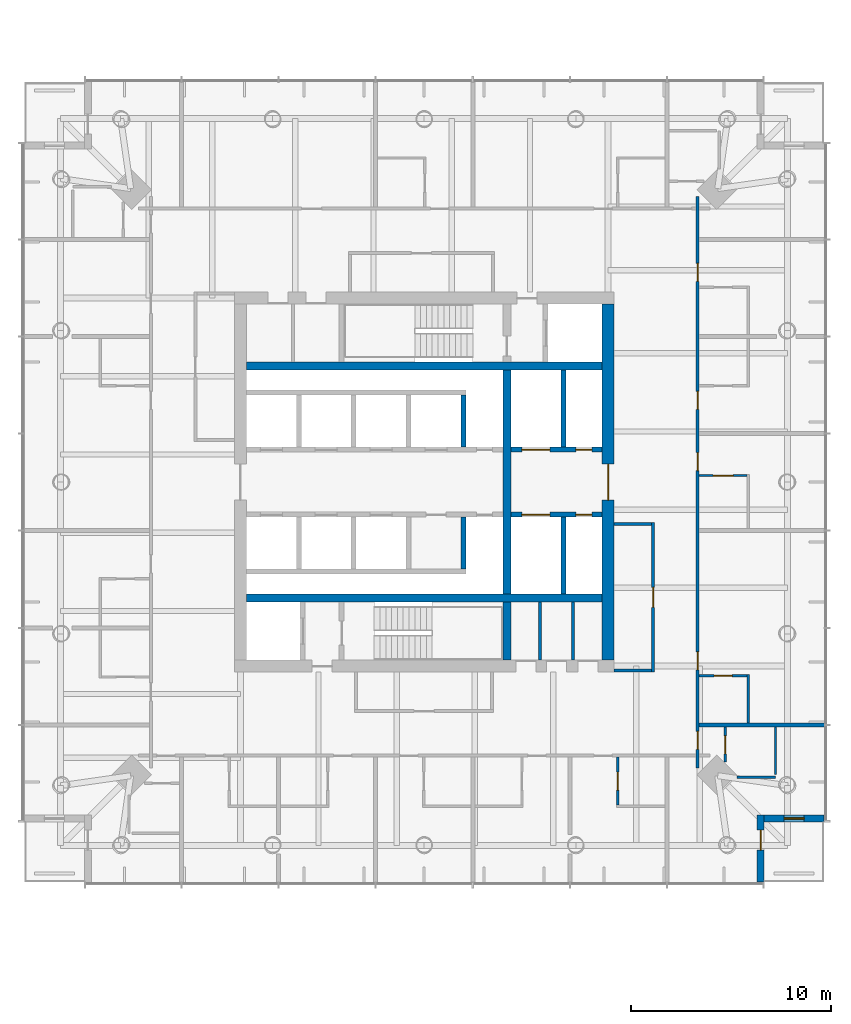
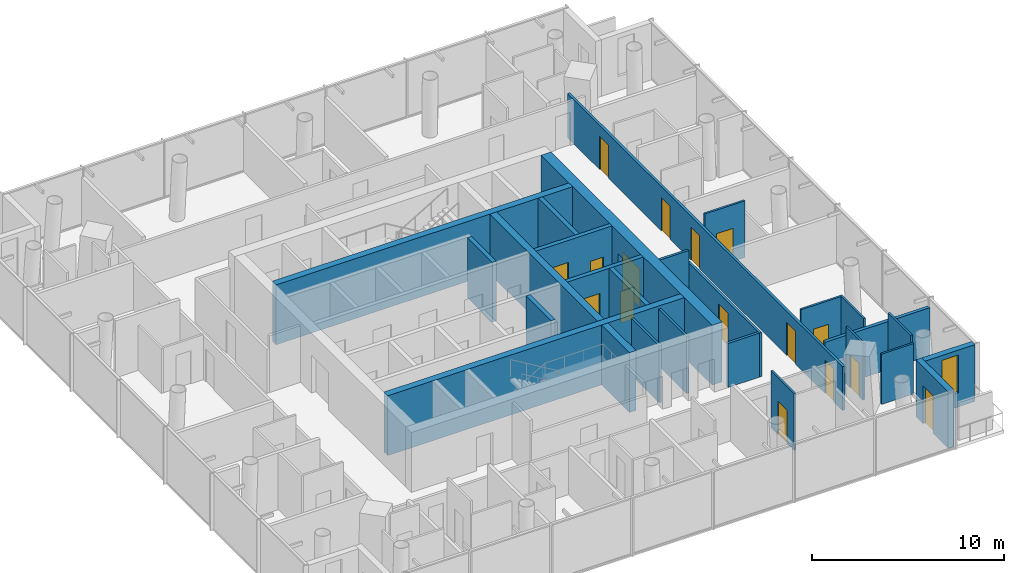
# One storey, part 16 of 22: 27 walls, 16 doors, 1 window, 17 openings.
"""IFC4 building model written with IfcOpenShell, lengths in metres."""

from ifc_helpers import new_model, si_unit, direction, frame, frame_2d, origin, place, context, subcontext, project, spatial, rectangle, extrude, material, layer, layer_set, type_object, element, fill, save


model = new_model("IFC4")

# Units and contexts
model_context = context("Model", 3, precision=1e-05, world=origin(), true_north=direction((0.0, 1.0)))
body_context = subcontext(model_context, "Body", "Model", "MODEL_VIEW")
ifc_project = project(units=[si_unit("LENGTHUNIT", "METRE"), si_unit("AREAUNIT", "SQUARE_METRE"), si_unit("VOLUMEUNIT", "CUBIC_METRE"), si_unit("PLANEANGLEUNIT", "RADIAN"), si_unit("MASSUNIT", "GRAM", prefix="KILO")], contexts=[model_context])

# Site, building, storey
site_placement = place(None, origin())
site = spatial("IfcSite", under=ifc_project, at=site_placement, CompositionType="ELEMENT")
building_placement = place(site_placement, origin())
building = spatial("IfcBuilding", under=site, at=building_placement, Name="Ostroluk Exchange", CompositionType="ELEMENT")
storey_placement = place(building_placement, frame((0.0, 0.0, 40.0)))
storey = spatial("IfcBuildingStorey", under=building, at=storey_placement, Name="L09", CompositionType="ELEMENT", Elevation=40.0)

# Walls
ifc_material_1 = material(Name="Concrete blockwork", Category="masonry")
ifc_layer_1 = layer(ifc_material_1, 0.14990234375)
ifc_layer_set_1 = layer_set([ifc_layer_1], Name="Blockwork plant room wall 150")
wall_type_1 = type_object("IfcWallType", Name="Blockwork plant room wall 150", PredefinedType="SOLIDWALL", material=ifc_layer_set_1)
for number, where, z_axis, x_axis, name in (
    (1, (122.79248046875, 37.10009765625, 0.0), (0.0, 0.0, 1.0), (0.0, 1.0, 0.0), "Core room wall"),
    (2, (124.4375, 37.10009765625, 0.0), (0.0, 0.0, 1.0), (0.0, 1.0, 0.0), "Core room wall"),
):
    element("IfcWall", number, at=place(storey_placement, frame(where, z_axis=z_axis, x_axis=x_axis)), inside=storey, type_object=wall_type_1, Name=name, PredefinedType="SOLIDWALL", context=body_context, shape_type="SweptSolid", body=[
        extrude(rectangle(XDim=2.89990234375, YDim=0.14990234375, at=frame_2d((1.449951171875, 0.0))), origin(), (0.0, 0.0, 1.0), 3.60009765625),
    ])
ifc_material_2 = material(Name="Concrete C50/60", Category="concrete")
ifc_layer_2 = layer(ifc_material_2, 0.39990234375)
ifc_layer_set_2 = layer_set([ifc_layer_2], Name="Core cross wall 400 C50/60")
wall_type_2 = type_object("IfcWallType", Name="Core cross wall 400 C50/60", PredefinedType="SHEAR", material=ifc_layer_set_2)
for number, where, z_axis, x_axis, name in (
    (3, (108.10009765625, 40.199951171875, 0.0), (0.0, 0.0, 1.0), (1.0, 0.0, 0.0), "T2 core wall XS"),
    (4, (108.10009765625, 51.800048828125, 0.0), (0.0, 0.0, 1.0), (1.0, 0.0, 0.0), "T2 core wall XN"),
):
    element("IfcWall", number, at=place(storey_placement, frame(where, z_axis=z_axis, x_axis=x_axis)), inside=storey, type_object=wall_type_2, Name=name, PredefinedType="SHEAR", context=body_context, shape_type="SweptSolid", body=[
        extrude(rectangle(XDim=17.7998046875, YDim=0.39990234375, at=frame_2d((8.89990234375, 0.0))), origin(), (0.0, 0.0, 1.0), 3.800048828125),
    ])
wall_1_placement = place(storey_placement, frame((121.1298828125, 37.10009765625, 0.0), z_axis=(0.0, 0.0, 1.0), x_axis=(0.0, 1.0, 0.0)))
element("IfcWall", 5, at=wall_1_placement, inside=storey, type_object=wall_type_2, Name="T2 core wall YE1", PredefinedType="SHEAR", context=body_context, shape_type="SweptSolid", body=[
    extrude(rectangle(XDim=2.89990234375, YDim=0.39990234375, at=frame_2d((1.449951171875, 0.0))), origin(), (0.0, 0.0, 1.0), 3.800048828125),
])
wall_2_placement = place(storey_placement, frame((121.1298828125, 40.39990234375, 0.0), z_axis=(0.0, 0.0, 1.0), x_axis=(0.0, 1.0, 0.0)))
element("IfcWall", 6, at=wall_2_placement, inside=storey, type_object=wall_type_2, Name="T2 core wall YE2", PredefinedType="SHEAR", context=body_context, shape_type="SweptSolid", body=[
    extrude(rectangle(XDim=11.2001953125, YDim=0.39990234375, at=frame_2d((5.60009765625, 0.0))), origin(), (0.0, 0.0, 1.0), 3.800048828125),
])
ifc_material_3 = material(Name="Concrete C40/50", Category="concrete")
ifc_layer_3 = layer(ifc_material_3, 0.25)
ifc_layer_set_3 = layer_set([ifc_layer_3], Name="Core shaft wall 250")
wall_type_3 = type_object("IfcWallType", Name="Core shaft wall 250", PredefinedType="SHEAR", material=ifc_layer_set_3)
for number, where, z_axis, x_axis, name in (
    (7, (118.97509765625, 47.75, 0.0), (0.0, 0.0, 1.0), (0.0, 1.0, 0.0), "Lift shaft wall"),
    (8, (118.97509765625, 44.25, 0.0), (0.0, 0.0, 1.0), (0.0, -1.0, 0.0), "Lift shaft wall"),
):
    element("IfcWall", number, at=place(storey_placement, frame(where, z_axis=z_axis, x_axis=x_axis)), inside=storey, type_object=wall_type_3, Name=name, PredefinedType="SHEAR", context=body_context, shape_type="SweptSolid", body=[
        extrude(rectangle(XDim=2.60009765625, YDim=0.25, at=frame_2d((1.300048828125, 0.0))), origin(), (0.0, 0.0, 1.0), 3.800048828125),
    ])
wall_3_placement = place(storey_placement, frame((123.955078125, 47.75, 0.0), z_axis=(0.0, 0.0, 1.0), x_axis=(0.0, 1.0, 0.0)))
element("IfcWall", 9, at=wall_3_placement, inside=storey, type_object=wall_type_3, Name="Lift shaft wall", PredefinedType="SHEAR", context=body_context, shape_type="SweptSolid", body=[
    extrude(rectangle(XDim=3.85009765625, YDim=0.25, at=frame_2d((1.925048828125, 0.0))), origin(), (0.0, 0.0, 1.0), 3.800048828125),
])

# Wall, openings, doors
wall_4_placement = place(storey_placement, frame((121.330078125, 47.625, 0.0), z_axis=(0.0, 0.0, 1.0), x_axis=(1.0, 0.0, 0.0)))
wall_4 = element("IfcWall", 10, at=wall_4_placement, inside=storey, type_object=wall_type_3, Name="Lift shaft front wall", PredefinedType="SHEAR", context=body_context, shape_type="SweptSolid", body=[
    extrude(rectangle(XDim=4.56982421875, YDim=0.25, at=frame_2d((2.284912109375, 0.0))), origin(), (0.0, 0.0, 1.0), 3.800048828125),
])
opening_1_placement = place(wall_4_placement, frame((0.550048828125, 0.0, 0.0)))
opening_1 = element("IfcOpeningElement", 11, at=opening_1_placement, cuts=wall_4, Name="Opening LD3", PredefinedType="OPENING", context=body_context, shape_type="SweptSolid", body=[
    extrude(rectangle(XDim=1.39990234375, YDim=2.39990234375, at=frame_2d((0.699951171875, 1.199951171875))), frame((0.0, 0.135009765625, 0.0), z_axis=(0.0, -1.0, 0.0), x_axis=(1.0, 0.0, 0.0)), (0.0, 0.0, 1.0), 0.27001953125),
])
opening_2_placement = place(wall_4_placement, frame((3.260009765625, 0.0, 0.0)))
opening_2 = element("IfcOpeningElement", 12, at=opening_2_placement, cuts=wall_4, Name="Opening RD60", PredefinedType="OPENING", context=body_context, shape_type="SweptSolid", body=[
    extrude(rectangle(XDim=0.800048828125, YDim=2.0, at=frame_2d((0.39990234375, 1.0))), frame((0.0, 0.135009765625, 0.0), z_axis=(0.0, -1.0, 0.0), x_axis=(1.0, 0.0, 0.0)), (0.0, 0.0, 1.0), 0.27001953125),
])
ifc_material_4 = material(Name="Stainless steel", Category="steel")
door_type_1 = type_object("IfcDoorType", Name="Goods lift landing door E 60 1400 x 2400", OperationType="DOUBLE_DOOR_SLIDING", PredefinedType="DOOR", material=ifc_material_4)
door_1_placement = place(opening_1_placement, origin())
door_1 = element("IfcDoor", 13, at=door_1_placement, inside=storey, type_object=door_type_1, Name="Lift HS1 landing door", OperationType="DOUBLE_DOOR_SLIDING", OverallHeight=2.39990234375, OverallWidth=1.39990234375, PredefinedType="DOOR", context=body_context, shape_type="SweptSolid", body=[
    extrude(rectangle(XDim=1.39990234375, YDim=2.39990234375, at=frame_2d((0.699951171875, 1.199951171875))), frame((0.0, 0.02490234375, 0.0), z_axis=(0.0, -1.0, 0.0), x_axis=(1.0, 0.0, 0.0)), (0.0, 0.0, 1.0), 0.050048828125),
])
fill(opening_1, door_1)
ifc_material_5 = material(Name="Steel", Category="steel")
door_type_2 = type_object("IfcDoorType", Name="Riser access door EI 60 800 x 2000", OperationType="SINGLE_SWING_LEFT", PredefinedType="DOOR", material=ifc_material_5)
door_2_placement = place(opening_2_placement, origin())
door_2 = element("IfcDoor", 14, at=door_2_placement, inside=storey, type_object=door_type_2, Name="Riser access door", OperationType="SINGLE_SWING_RIGHT", OverallHeight=2.0, OverallWidth=0.800048828125, PredefinedType="DOOR", context=body_context, shape_type="SweptSolid", body=[
    extrude(rectangle(XDim=0.800048828125, YDim=2.0, at=frame_2d((0.39990234375, 1.0))), frame((0.0, 0.02490234375, 0.0), z_axis=(0.0, -1.0, 0.0), x_axis=(1.0, 0.0, 0.0)), (0.0, 0.0, 1.0), 0.050048828125),
])
fill(opening_2, door_2)

# Wall
wall_5_placement = place(storey_placement, frame((123.955078125, 44.25, 0.0), z_axis=(0.0, 0.0, 1.0), x_axis=(0.0, -1.0, 0.0)))
element("IfcWall", 15, at=wall_5_placement, inside=storey, type_object=wall_type_3, Name="Lift shaft wall", PredefinedType="SHEAR", context=body_context, shape_type="SweptSolid", body=[
    extrude(rectangle(XDim=3.85009765625, YDim=0.25, at=frame_2d((1.925048828125, 0.0))), origin(), (0.0, 0.0, 1.0), 3.800048828125),
])

# Wall, openings, doors
wall_6_placement = place(storey_placement, frame((121.330078125, 44.375, 0.0), z_axis=(0.0, 0.0, 1.0), x_axis=(1.0, 0.0, 0.0)))
wall_6 = element("IfcWall", 16, at=wall_6_placement, inside=storey, type_object=wall_type_3, Name="Lift shaft front wall", PredefinedType="SHEAR", context=body_context, shape_type="SweptSolid", body=[
    extrude(rectangle(XDim=4.56982421875, YDim=0.25, at=frame_2d((2.284912109375, 0.0))), origin(), (0.0, 0.0, 1.0), 3.800048828125),
])
opening_3_placement = place(wall_6_placement, frame((0.550048828125, 0.0, 0.0)))
opening_3 = element("IfcOpeningElement", 17, at=opening_3_placement, cuts=wall_6, Name="Opening LD3", PredefinedType="OPENING", context=body_context, shape_type="SweptSolid", body=[
    extrude(rectangle(XDim=1.39990234375, YDim=2.39990234375, at=frame_2d((0.699951171875, 1.199951171875))), frame((0.0, 0.135009765625, 0.0), z_axis=(0.0, -1.0, 0.0), x_axis=(1.0, 0.0, 0.0)), (0.0, 0.0, 1.0), 0.27001953125),
])
opening_4_placement = place(wall_6_placement, frame((3.260009765625, 0.0, 0.0)))
opening_4 = element("IfcOpeningElement", 18, at=opening_4_placement, cuts=wall_6, Name="Opening RD60", PredefinedType="OPENING", context=body_context, shape_type="SweptSolid", body=[
    extrude(rectangle(XDim=0.800048828125, YDim=2.0, at=frame_2d((0.39990234375, 1.0))), frame((0.0, 0.135009765625, 0.0), z_axis=(0.0, -1.0, 0.0), x_axis=(1.0, 0.0, 0.0)), (0.0, 0.0, 1.0), 0.27001953125),
])
door_3_placement = place(opening_3_placement, origin())
door_3 = element("IfcDoor", 19, at=door_3_placement, inside=storey, type_object=door_type_1, Name="Lift HS2 landing door", OperationType="DOUBLE_DOOR_SLIDING", OverallHeight=2.39990234375, OverallWidth=1.39990234375, PredefinedType="DOOR", context=body_context, shape_type="SweptSolid", body=[
    extrude(rectangle(XDim=1.39990234375, YDim=2.39990234375, at=frame_2d((0.699951171875, 1.199951171875))), frame((0.0, 0.02490234375, 0.0), z_axis=(0.0, -1.0, 0.0), x_axis=(1.0, 0.0, 0.0)), (0.0, 0.0, 1.0), 0.050048828125),
])
fill(opening_3, door_3)
door_4_placement = place(opening_4_placement, origin())
door_4 = element("IfcDoor", 20, at=door_4_placement, inside=storey, type_object=door_type_2, Name="Riser access door", OperationType="SINGLE_SWING_RIGHT", OverallHeight=2.0, OverallWidth=0.800048828125, PredefinedType="DOOR", context=body_context, shape_type="SweptSolid", body=[
    extrude(rectangle(XDim=0.800048828125, YDim=2.0, at=frame_2d((0.39990234375, 1.0))), frame((0.0, 0.02490234375, 0.0), z_axis=(0.0, -1.0, 0.0), x_axis=(1.0, 0.0, 0.0)), (0.0, 0.0, 1.0), 0.050048828125),
])
fill(opening_4, door_4)

# Wall, opening, door
ifc_material_6 = material(Name="Concrete C50/60", Category="concrete")
ifc_layer_4 = layer(ifc_material_6, 0.60009765625)
ifc_layer_set_4 = layer_set([ifc_layer_4], Name="Core wall 600 C50/60")
wall_type_4 = type_object("IfcWallType", Name="Core wall 600 C50/60", PredefinedType="SHEAR", material=ifc_layer_set_4)
wall_7_placement = place(storey_placement, frame((126.199951171875, 37.10009765625, 0.0), z_axis=(0.0, 0.0, 1.0), x_axis=(0.0, 1.0, 0.0)))
wall_7 = element("IfcWall", 21, at=wall_7_placement, inside=storey, type_object=wall_type_4, Name="T2 core wall E", PredefinedType="SHEAR", context=body_context, shape_type="SweptSolid", body=[
    extrude(rectangle(XDim=17.7998046875, YDim=0.60009765625, at=frame_2d((8.89990234375, 0.0))), origin(), (0.0, 0.0, 1.0), 3.800048828125),
])
opening_5_placement = place(wall_7_placement, frame((8.0, 0.0, 0.0)))
opening_5 = element("IfcOpeningElement", 22, at=opening_5_placement, cuts=wall_7, Name="Opening FD30D", PredefinedType="OPENING", context=body_context, shape_type="SweptSolid", body=[
    extrude(rectangle(XDim=1.800048828125, YDim=2.39990234375, at=frame_2d((0.89990234375, 1.199951171875))), frame((0.0, 0.31005859375, 0.0), z_axis=(0.0, -1.0, 0.0), x_axis=(1.0, 0.0, 0.0)), (0.0, 0.0, 1.0), 0.6201171875),
])
ifc_material_7 = material(Name="Timber", Category="wood")
door_type_3 = type_object("IfcDoorType", Name="Lobby double door EI 30 1800 x 2400", OperationType="DOUBLE_DOOR_SINGLE_SWING", PredefinedType="DOOR", material=ifc_material_7)
door_5_placement = place(opening_5_placement, origin())
door_5 = element("IfcDoor", 23, at=door_5_placement, inside=storey, type_object=door_type_3, Name="Lift lobby doors", OperationType="DOUBLE_DOOR_SINGLE_SWING", OverallHeight=2.39990234375, OverallWidth=1.800048828125, PredefinedType="DOOR", context=body_context, shape_type="SweptSolid", body=[
    extrude(rectangle(XDim=1.800048828125, YDim=2.39990234375, at=frame_2d((0.89990234375, 1.199951171875))), frame((0.0, 0.02490234375, 0.0), z_axis=(0.0, -1.0, 0.0), x_axis=(1.0, 0.0, 0.0)), (0.0, 0.0, 1.0), 0.050048828125),
])
fill(opening_5, door_5)

ifc_material_8 = material(Name="Limestone", Category="masonry")
ifc_layer_5 = layer(ifc_material_8, 0.35009765625)
ifc_layer_set_5 = layer_set([ifc_layer_5], Name="Limestone facade wall 350")
wall_type_5 = type_object("IfcWallType", Name="Limestone facade wall 350", PredefinedType="SOLIDWALL", material=ifc_layer_set_5)
wall_8_placement = place(storey_placement, frame((133.824951171875, 26.0, 0.0), z_axis=(0.0, 0.0, 1.0), x_axis=(0.0, 1.0, 0.0)))
wall_8 = element("IfcWall", 24, at=wall_8_placement, inside=storey, type_object=wall_type_5, Name="Hotel tower SE corner wall L09 a", PredefinedType="SOLIDWALL", context=body_context, shape_type="SweptSolid", body=[
    extrude(rectangle(XDim=3.35009765625, YDim=0.35009765625, at=frame_2d((1.675048828125, 0.0))), origin(), (0.0, 0.0, 1.0), 3.60009765625),
])
opening_6_placement = place(wall_8_placement, frame((1.60009765625, 0.0, 0.0)))
opening_6 = element("IfcOpeningElement", 25, at=opening_6_placement, cuts=wall_8, Name="Opening D-B1", PredefinedType="OPENING", context=body_context, shape_type="SweptSolid", body=[
    extrude(rectangle(XDim=1.0, YDim=2.39990234375, at=frame_2d((0.5, 1.199951171875))), frame((0.0, 0.18505859375, 0.0), z_axis=(0.0, -1.0, 0.0), x_axis=(1.0, 0.0, 0.0)), (0.0, 0.0, 1.0), 0.3701171875),
])
ifc_material_9 = material(Name="Bronze framed glazed door", Category="aluminium")
door_type_4 = type_object("IfcDoorType", Name="Balcony door 1000 x 2400", OperationType="SINGLE_SWING_LEFT", PredefinedType="DOOR", material=ifc_material_9)
door_6_placement = place(opening_6_placement, origin())
door_6 = element("IfcDoor", 26, at=door_6_placement, inside=storey, type_object=door_type_4, Name="Hotel tower SE balcony door L09", OperationType="SINGLE_SWING_RIGHT", OverallHeight=2.39990234375, OverallWidth=1.0, PredefinedType="DOOR", context=body_context, shape_type="SweptSolid", body=[
    extrude(rectangle(XDim=1.0, YDim=2.39990234375, at=frame_2d((0.5, 1.199951171875))), frame((0.0, 0.02490234375, 0.0), z_axis=(0.0, -1.0, 0.0), x_axis=(1.0, 0.0, 0.0)), (0.0, 0.0, 1.0), 0.050048828125),
])
fill(opening_6, door_6)

# Wall, opening, window
wall_9_placement = place(storey_placement, frame((134.0, 29.175048828125, 0.0), z_axis=(0.0, 0.0, 1.0), x_axis=(1.0, 0.0, 0.0)))
wall_9 = element("IfcWall", 27, at=wall_9_placement, inside=storey, type_object=wall_type_5, Name="Hotel tower SE corner wall L09 b", PredefinedType="SOLIDWALL", context=body_context, shape_type="SweptSolid", body=[
    extrude(rectangle(XDim=3.0, YDim=0.35009765625, at=frame_2d((1.5, 0.0))), origin(), (0.0, 0.0, 1.0), 3.60009765625),
])
opening_7_placement = place(wall_9_placement, frame((1.0, 0.0, 0.89990234375)))
opening_7 = element("IfcOpeningElement", 28, at=opening_7_placement, cuts=wall_9, Name="Opening WN-L3", PredefinedType="OPENING", context=body_context, shape_type="SweptSolid", body=[
    extrude(rectangle(XDim=1.0, YDim=2.39990234375, at=frame_2d((0.5, 1.199951171875))), frame((0.0, 0.18505859375, 0.0), z_axis=(0.0, -1.0, 0.0), x_axis=(1.0, 0.0, 0.0)), (0.0, 0.0, 1.0), 0.3701171875),
])
ifc_material_10 = material(Name="Laminated clear glass", Category="glass")
window_type = type_object("IfcWindowType", Name="Hotel lancet window 1000 x 2400", PartitioningType="SINGLE_PANEL", PredefinedType="WINDOW", material=ifc_material_10)
window_placement = place(opening_7_placement, origin())
window = element("IfcWindow", 29, at=window_placement, inside=storey, type_object=window_type, Name="Hotel tower SE lancet window L09", OverallHeight=2.39990234375, OverallWidth=1.0, PartitioningType="SINGLE_PANEL", PredefinedType="WINDOW", context=body_context, shape_type="SweptSolid", body=[
    extrude(rectangle(XDim=1.0, YDim=2.39990234375, at=frame_2d((0.5, 1.199951171875))), frame((0.0, 0.030029296875, 0.0), z_axis=(0.0, -1.0, 0.0), x_axis=(1.0, 0.0, 0.0)), (0.0, 0.0, 1.0), 0.06005859375),
])
fill(opening_7, window)

# Wall, opening, door
ifc_material_11 = material(Name="Gypsum plasterboard partition, moisture resistant", Category="gypsum")
ifc_layer_6 = layer(ifc_material_11, 0.1201171875)
ifc_layer_set_6 = layer_set([ifc_layer_6], Name="Plasterboard en-suite wall 120")
wall_type_6 = type_object("IfcWallType", Name="Plasterboard en-suite wall 120", PredefinedType="PARTITIONING", material=ifc_layer_set_6)
wall_10_placement = place(storey_placement, frame((132.050048828125, 33.757080078125, 0.0), z_axis=(0.0, 0.0, 1.0), x_axis=(0.0, -1.0, 0.0)))
wall_10 = element("IfcWall", 30, at=wall_10_placement, inside=storey, type_object=wall_type_6, Name="En-suite wall", PredefinedType="PARTITIONING", context=body_context, shape_type="SweptSolid", body=[
    extrude(rectangle(XDim=1.757080078125, YDim=0.1201171875, at=frame_2d((0.87841796875, 0.0))), origin(), (0.0, 0.0, 1.0), 3.60009765625),
])
opening_8_placement = place(wall_10_placement, frame((0.449951171875, 0.0, 0.0)))
opening_8 = element("IfcOpeningElement", 31, at=opening_8_placement, cuts=wall_10, Name="Opening D-02", PredefinedType="OPENING", context=body_context, shape_type="SweptSolid", body=[
    extrude(rectangle(XDim=0.89990234375, YDim=2.10009765625, at=frame_2d((0.449951171875, 1.050048828125))), frame((0.0, 0.070068359375, 0.0), z_axis=(0.0, -1.0, 0.0), x_axis=(1.0, 0.0, 0.0)), (0.0, 0.0, 1.0), 0.14013671875),
])
ifc_material_12 = material(Name="Timber", Category="wood")
door_type_5 = type_object("IfcDoorType", Name="En-suite door 900 x 2100", OperationType="SINGLE_SWING_LEFT", PredefinedType="DOOR", material=ifc_material_12)
door_7_placement = place(opening_8_placement, origin())
door_7 = element("IfcDoor", 32, at=door_7_placement, inside=storey, type_object=door_type_5, Name="En-suite door 901", OperationType="SINGLE_SWING_RIGHT", OverallHeight=2.10009765625, OverallWidth=0.89990234375, PredefinedType="DOOR", context=body_context, shape_type="SweptSolid", body=[
    extrude(rectangle(XDim=0.89990234375, YDim=2.10009765625, at=frame_2d((0.449951171875, 1.050048828125))), frame((0.0, 0.02490234375, 0.0), z_axis=(0.0, -1.0, 0.0), x_axis=(1.0, 0.0, 0.0)), (0.0, 0.0, 1.0), 0.050048828125),
])
fill(opening_8, door_7)

# Walls
wall_11_placement = place(storey_placement, frame((134.570068359375, 33.757080078125, 0.0), z_axis=(0.0, 0.0, 1.0), x_axis=(0.0, -1.0, 0.0)))
element("IfcWall", 33, at=wall_11_placement, inside=storey, type_object=wall_type_6, Name="En-suite wall", PredefinedType="PARTITIONING", context=body_context, shape_type="SweptSolid", body=[
    extrude(rectangle(XDim=2.367919921875, YDim=0.1201171875, at=frame_2d((1.18408203125, 0.0))), origin(), (0.0, 0.0, 1.0), 3.60009765625),
])
wall_12_placement = place(storey_placement, frame((132.649169921875, 31.237060546875, 0.0), z_axis=(0.0, 0.0, 1.0), x_axis=(1.0, 0.0, 0.0)))
element("IfcWall", 34, at=wall_12_placement, inside=storey, type_object=wall_type_6, Name="En-suite wall", PredefinedType="PARTITIONING", context=body_context, shape_type="SweptSolid", body=[
    extrude(rectangle(XDim=1.9208984375, YDim=0.1201171875, at=frame_2d((0.96044921875, 0.0))), origin(), (0.0, 0.0, 1.0), 3.199951171875),
])
wall_13_placement = place(storey_placement, frame((133.2099609375, 33.95703125, 0.0), z_axis=(0.0, 0.0, 1.0), x_axis=(0.0, 1.0, 0.0)))
element("IfcWall", 35, at=wall_13_placement, inside=storey, type_object=wall_type_6, Name="En-suite wall", PredefinedType="PARTITIONING", context=body_context, shape_type="SweptSolid", body=[
    extrude(rectangle(XDim=2.420166015625, YDim=0.1201171875, at=frame_2d((1.2099609375, 0.0))), origin(), (0.0, 0.0, 1.0), 3.60009765625),
])

# Wall, opening, door
wall_14_placement = place(storey_placement, frame((130.75, 36.317138671875, 0.0), z_axis=(0.0, 0.0, 1.0), x_axis=(1.0, 0.0, 0.0)))
wall_14 = element("IfcWall", 36, at=wall_14_placement, inside=storey, type_object=wall_type_6, Name="En-suite wall", PredefinedType="PARTITIONING", context=body_context, shape_type="SweptSolid", body=[
    extrude(rectangle(XDim=2.39990234375, YDim=0.1201171875, at=frame_2d((1.199951171875, 0.0))), origin(), (0.0, 0.0, 1.0), 3.60009765625),
])
opening_9_placement = place(wall_14_placement, frame((0.75, 0.0, 0.0)))
opening_9 = element("IfcOpeningElement", 37, at=opening_9_placement, cuts=wall_14, Name="Opening D-02", PredefinedType="OPENING", context=body_context, shape_type="SweptSolid", body=[
    extrude(rectangle(XDim=0.89990234375, YDim=2.10009765625, at=frame_2d((0.449951171875, 1.050048828125))), frame((0.0, 0.070068359375, 0.0), z_axis=(0.0, -1.0, 0.0), x_axis=(1.0, 0.0, 0.0)), (0.0, 0.0, 1.0), 0.14013671875),
])
door_8_placement = place(opening_9_placement, origin())
door_8 = element("IfcDoor", 38, at=door_8_placement, inside=storey, type_object=door_type_5, Name="En-suite door 902", OperationType="SINGLE_SWING_LEFT", OverallHeight=2.10009765625, OverallWidth=0.89990234375, PredefinedType="DOOR", context=body_context, shape_type="SweptSolid", body=[
    extrude(rectangle(XDim=0.89990234375, YDim=2.10009765625, at=frame_2d((0.449951171875, 1.050048828125))), frame((0.0, 0.02490234375, 0.0), z_axis=(0.0, -1.0, 0.0), x_axis=(1.0, 0.0, 0.0)), (0.0, 0.0, 1.0), 0.050048828125),
])
fill(opening_9, door_8)

wall_15_placement = place(storey_placement, frame((130.75, 46.33154296875, 0.0), z_axis=(0.0, 0.0, 1.0), x_axis=(1.0, 0.0, 0.0)))
wall_15 = element("IfcWall", 39, at=wall_15_placement, inside=storey, type_object=wall_type_6, Name="En-suite wall", PredefinedType="PARTITIONING", context=body_context, shape_type="SweptSolid", body=[
    extrude(rectangle(XDim=2.39990234375, YDim=0.1201171875, at=frame_2d((1.199951171875, 0.0))), origin(), (0.0, 0.0, 1.0), 3.60009765625),
])
opening_10_placement = place(wall_15_placement, frame((0.699951171875, 0.0, 0.0)))
opening_10 = element("IfcOpeningElement", 40, at=opening_10_placement, cuts=wall_15, Name="Opening D-03", PredefinedType="OPENING", context=body_context, shape_type="SweptSolid", body=[
    extrude(rectangle(XDim=1.0, YDim=2.10009765625, at=frame_2d((0.5, 1.050048828125))), frame((0.0, 0.070068359375, 0.0), z_axis=(0.0, -1.0, 0.0), x_axis=(1.0, 0.0, 0.0)), (0.0, 0.0, 1.0), 0.14013671875),
])
ifc_material_13 = material(Name="Timber", Category="wood")
door_type_6 = type_object("IfcDoorType", Name="Internal door 1000 x 2100", OperationType="SINGLE_SWING_LEFT", PredefinedType="DOOR", material=ifc_material_13)
door_9_placement = place(opening_10_placement, origin())
door_9 = element("IfcDoor", 41, at=door_9_placement, inside=storey, type_object=door_type_6, Name="En-suite door 903", OperationType="SINGLE_SWING_LEFT", OverallHeight=2.10009765625, OverallWidth=1.0, PredefinedType="DOOR", context=body_context, shape_type="SweptSolid", body=[
    extrude(rectangle(XDim=1.0, YDim=2.10009765625, at=frame_2d((0.5, 1.050048828125))), frame((0.0, 0.02490234375, 0.0), z_axis=(0.0, -1.0, 0.0), x_axis=(1.0, 0.0, 0.0)), (0.0, 0.0, 1.0), 0.050048828125),
])
fill(opening_10, door_9)

wall_16_placement = place(storey_placement, frame((126.682861328125, 32.25, 0.0), z_axis=(0.0, 0.0, 1.0), x_axis=(0.0, -1.0, 0.0)))
wall_16 = element("IfcWall", 42, at=wall_16_placement, inside=storey, type_object=wall_type_6, Name="En-suite wall", PredefinedType="PARTITIONING", context=body_context, shape_type="SweptSolid", body=[
    extrude(rectangle(XDim=2.39990234375, YDim=0.1201171875, at=frame_2d((1.199951171875, 0.0))), origin(), (0.0, 0.0, 1.0), 3.60009765625),
])
opening_11_placement = place(wall_16_placement, frame((0.75, 0.0, 0.0)))
opening_11 = element("IfcOpeningElement", 43, at=opening_11_placement, cuts=wall_16, Name="Opening D-02", PredefinedType="OPENING", context=body_context, shape_type="SweptSolid", body=[
    extrude(rectangle(XDim=0.89990234375, YDim=2.10009765625, at=frame_2d((0.449951171875, 1.050048828125))), frame((0.0, 0.070068359375, 0.0), z_axis=(0.0, -1.0, 0.0), x_axis=(1.0, 0.0, 0.0)), (0.0, 0.0, 1.0), 0.14013671875),
])
door_10_placement = place(opening_11_placement, origin())
door_10 = element("IfcDoor", 44, at=door_10_placement, inside=storey, type_object=door_type_5, Name="En-suite door 918", OperationType="SINGLE_SWING_RIGHT", OverallHeight=2.10009765625, OverallWidth=0.89990234375, PredefinedType="DOOR", context=body_context, shape_type="SweptSolid", body=[
    extrude(rectangle(XDim=0.89990234375, YDim=2.10009765625, at=frame_2d((0.449951171875, 1.050048828125))), frame((0.0, 0.02490234375, 0.0), z_axis=(0.0, -1.0, 0.0), x_axis=(1.0, 0.0, 0.0)), (0.0, 0.0, 1.0), 0.050048828125),
])
fill(opening_11, door_10)

ifc_material_14 = material(Name="Gypsum plasterboard partition", Category="gypsum")
ifc_layer_7 = layer(ifc_material_14, 0.14990234375)
ifc_layer_set_7 = layer_set([ifc_layer_7], Name="Plasterboard partition 150")
wall_type_7 = type_object("IfcWallType", Name="Plasterboard partition 150", PredefinedType="PARTITIONING", material=ifc_layer_set_7)
wall_17_placement = place(storey_placement, frame((128.449951171875, 36.5, 0.0), z_axis=(0.0, 0.0, 1.0), x_axis=(0.0, 1.0, 0.0)))
wall_17 = element("IfcWall", 45, at=wall_17_placement, inside=storey, type_object=wall_type_7, Name="Partition", PredefinedType="PARTITIONING", context=body_context, shape_type="SweptSolid", body=[
    extrude(rectangle(XDim=7.47509765625, YDim=0.14990234375, at=frame_2d((3.737548828125, 0.0))), origin(), (0.0, 0.0, 1.0), 2.800048828125),
])
opening_12_placement = place(wall_17_placement, frame((3.237548828125, 0.0, 0.0)))
opening_12 = element("IfcOpeningElement", 46, at=opening_12_placement, cuts=wall_17, Name="Opening D-03", PredefinedType="OPENING", context=body_context, shape_type="SweptSolid", body=[
    extrude(rectangle(XDim=1.0, YDim=2.10009765625, at=frame_2d((0.5, 1.050048828125))), frame((0.0, 0.0849609375, 0.0), z_axis=(0.0, -1.0, 0.0), x_axis=(1.0, 0.0, 0.0)), (0.0, 0.0, 1.0), 0.169921875),
])
door_11_placement = place(opening_12_placement, origin())
door_11 = element("IfcDoor", 47, at=door_11_placement, inside=storey, type_object=door_type_6, Name="Linen store door", OperationType="SINGLE_SWING_LEFT", OverallHeight=2.10009765625, OverallWidth=1.0, PredefinedType="DOOR", context=body_context, shape_type="SweptSolid", body=[
    extrude(rectangle(XDim=1.0, YDim=2.10009765625, at=frame_2d((0.5, 1.050048828125))), frame((0.0, 0.02490234375, 0.0), z_axis=(0.0, -1.0, 0.0), x_axis=(1.0, 0.0, 0.0)), (0.0, 0.0, 1.0), 0.050048828125),
])
fill(opening_12, door_11)

# Walls
wall_18_placement = place(storey_placement, frame((126.5, 36.574951171875, 0.0), z_axis=(0.0, 0.0, 1.0), x_axis=(1.0, 0.0, 0.0)))
element("IfcWall", 48, at=wall_18_placement, inside=storey, type_object=wall_type_7, Name="Partition", PredefinedType="PARTITIONING", context=body_context, shape_type="SweptSolid", body=[
    extrude(rectangle(XDim=1.875, YDim=0.14990234375, at=frame_2d((0.9375, 0.0))), origin(), (0.0, 0.0, 1.0), 2.800048828125),
])
wall_19_placement = place(storey_placement, frame((126.5, 43.89990234375, 0.0), z_axis=(0.0, 0.0, 1.0), x_axis=(1.0, 0.0, 0.0)))
element("IfcWall", 49, at=wall_19_placement, inside=storey, type_object=wall_type_7, Name="Partition", PredefinedType="PARTITIONING", context=body_context, shape_type="SweptSolid", body=[
    extrude(rectangle(XDim=1.875, YDim=0.14990234375, at=frame_2d((0.9375, 0.0))), origin(), (0.0, 0.0, 1.0), 3.60009765625),
])

# Wall, openings, doors
wall_20_placement = place(storey_placement, frame((130.675048828125, 31.70556640625, 0.0), z_axis=(0.0, 0.0, 1.0), x_axis=(0.0, 1.0, 0.0)))
wall_20 = element("IfcWall", 50, at=wall_20_placement, inside=storey, type_object=wall_type_7, Name="Corridor wall", PredefinedType="PARTITIONING", context=body_context, shape_type="SweptSolid", body=[
    extrude(rectangle(XDim=28.5888671875, YDim=0.14990234375, at=frame_2d((14.29443359375, 0.0))), origin(), (0.0, 0.0, 1.0), 2.800048828125),
])
opening_13_placement = place(wall_20_placement, frame((0.923095703125, 0.0, 0.0)))
opening_13 = element("IfcOpeningElement", 51, at=opening_13_placement, cuts=wall_20, Name="Opening D-01", PredefinedType="OPENING", context=body_context, shape_type="SweptSolid", body=[
    extrude(rectangle(XDim=0.89990234375, YDim=2.10009765625, at=frame_2d((0.449951171875, 1.050048828125))), frame((0.0, 0.0849609375, 0.0), z_axis=(0.0, -1.0, 0.0), x_axis=(1.0, 0.0, 0.0)), (0.0, 0.0, 1.0), 0.169921875),
])
opening_14_placement = place(wall_20_placement, frame((4.901611328125, 0.0, 0.0)))
opening_14 = element("IfcOpeningElement", 52, at=opening_14_placement, cuts=wall_20, Name="Opening D-01", PredefinedType="OPENING", context=body_context, shape_type="SweptSolid", body=[
    extrude(rectangle(XDim=0.89990234375, YDim=2.10009765625, at=frame_2d((0.449951171875, 1.050048828125))), frame((0.0, 0.0849609375, 0.0), z_axis=(0.0, -1.0, 0.0), x_axis=(1.0, 0.0, 0.0)), (0.0, 0.0, 1.0), 0.169921875),
])
opening_15_placement = place(wall_20_placement, frame((14.865966796875, 0.0, 0.0)))
opening_15 = element("IfcOpeningElement", 53, at=opening_15_placement, cuts=wall_20, Name="Opening D-01", PredefinedType="OPENING", context=body_context, shape_type="SweptSolid", body=[
    extrude(rectangle(XDim=0.89990234375, YDim=2.10009765625, at=frame_2d((0.449951171875, 1.050048828125))), frame((0.0, 0.0849609375, 0.0), z_axis=(0.0, -1.0, 0.0), x_axis=(1.0, 0.0, 0.0)), (0.0, 0.0, 1.0), 0.169921875),
])
opening_16_placement = place(wall_20_placement, frame((17.93017578125, 0.0, 0.0)))
opening_16 = element("IfcOpeningElement", 54, at=opening_16_placement, cuts=wall_20, Name="Opening D-01", PredefinedType="OPENING", context=body_context, shape_type="SweptSolid", body=[
    extrude(rectangle(XDim=0.89990234375, YDim=2.10009765625, at=frame_2d((0.449951171875, 1.050048828125))), frame((0.0, 0.0849609375, 0.0), z_axis=(0.0, -1.0, 0.0), x_axis=(1.0, 0.0, 0.0)), (0.0, 0.0, 1.0), 0.169921875),
])
opening_17_placement = place(wall_20_placement, frame((24.330322265625, 0.0, 0.0)))
opening_17 = element("IfcOpeningElement", 55, at=opening_17_placement, cuts=wall_20, Name="Opening D-01", PredefinedType="OPENING", context=body_context, shape_type="SweptSolid", body=[
    extrude(rectangle(XDim=0.89990234375, YDim=2.10009765625, at=frame_2d((0.449951171875, 1.050048828125))), frame((0.0, 0.0849609375, 0.0), z_axis=(0.0, -1.0, 0.0), x_axis=(1.0, 0.0, 0.0)), (0.0, 0.0, 1.0), 0.169921875),
])
ifc_material_15 = material(Name="Timber", Category="wood")
door_type_7 = type_object("IfcDoorType", Name="Hotel room door EI 30 Sa 900 x 2100", OperationType="SINGLE_SWING_LEFT", PredefinedType="DOOR", material=ifc_material_15)
door_12_placement = place(opening_13_placement, origin())
door_12 = element("IfcDoor", 56, at=door_12_placement, inside=storey, type_object=door_type_7, Name="Room door 901", OperationType="SINGLE_SWING_LEFT", OverallHeight=2.10009765625, OverallWidth=0.89990234375, PredefinedType="DOOR", context=body_context, shape_type="SweptSolid", body=[
    extrude(rectangle(XDim=0.89990234375, YDim=2.10009765625, at=frame_2d((0.449951171875, 1.050048828125))), frame((0.0, 0.02490234375, 0.0), z_axis=(0.0, -1.0, 0.0), x_axis=(1.0, 0.0, 0.0)), (0.0, 0.0, 1.0), 0.050048828125),
])
fill(opening_13, door_12)
door_13_placement = place(opening_14_placement, origin())
door_13 = element("IfcDoor", 57, at=door_13_placement, inside=storey, type_object=door_type_7, Name="Room door 902", OperationType="SINGLE_SWING_LEFT", OverallHeight=2.10009765625, OverallWidth=0.89990234375, PredefinedType="DOOR", context=body_context, shape_type="SweptSolid", body=[
    extrude(rectangle(XDim=0.89990234375, YDim=2.10009765625, at=frame_2d((0.449951171875, 1.050048828125))), frame((0.0, 0.02490234375, 0.0), z_axis=(0.0, -1.0, 0.0), x_axis=(1.0, 0.0, 0.0)), (0.0, 0.0, 1.0), 0.050048828125),
])
fill(opening_14, door_13)
door_14_placement = place(opening_15_placement, origin())
door_14 = element("IfcDoor", 58, at=door_14_placement, inside=storey, type_object=door_type_7, Name="Room door 903", OperationType="SINGLE_SWING_RIGHT", OverallHeight=2.10009765625, OverallWidth=0.89990234375, PredefinedType="DOOR", context=body_context, shape_type="SweptSolid", body=[
    extrude(rectangle(XDim=0.89990234375, YDim=2.10009765625, at=frame_2d((0.449951171875, 1.050048828125))), frame((0.0, 0.02490234375, 0.0), z_axis=(0.0, -1.0, 0.0), x_axis=(1.0, 0.0, 0.0)), (0.0, 0.0, 1.0), 0.050048828125),
])
fill(opening_15, door_14)
door_15_placement = place(opening_16_placement, origin())
door_15 = element("IfcDoor", 59, at=door_15_placement, inside=storey, type_object=door_type_7, Name="Room door 904", OperationType="SINGLE_SWING_RIGHT", OverallHeight=2.10009765625, OverallWidth=0.89990234375, PredefinedType="DOOR", context=body_context, shape_type="SweptSolid", body=[
    extrude(rectangle(XDim=0.89990234375, YDim=2.10009765625, at=frame_2d((0.449951171875, 1.050048828125))), frame((0.0, 0.02490234375, 0.0), z_axis=(0.0, -1.0, 0.0), x_axis=(1.0, 0.0, 0.0)), (0.0, 0.0, 1.0), 0.050048828125),
])
fill(opening_16, door_15)
door_16_placement = place(opening_17_placement, origin())
door_16 = element("IfcDoor", 60, at=door_16_placement, inside=storey, type_object=door_type_7, Name="Room door 905", OperationType="SINGLE_SWING_RIGHT", OverallHeight=2.10009765625, OverallWidth=0.89990234375, PredefinedType="DOOR", context=body_context, shape_type="SweptSolid", body=[
    extrude(rectangle(XDim=0.89990234375, YDim=2.10009765625, at=frame_2d((0.449951171875, 1.050048828125))), frame((0.0, 0.02490234375, 0.0), z_axis=(0.0, -1.0, 0.0), x_axis=(1.0, 0.0, 0.0)), (0.0, 0.0, 1.0), 0.050048828125),
])
fill(opening_17, door_16)

# Wall
ifc_material_16 = material(Name="Gypsum plasterboard partition", Category="gypsum")
ifc_layer_8 = layer(ifc_material_16, 0.199951171875)
ifc_layer_set_8 = layer_set([ifc_layer_8], Name="Plasterboard party wall 200")
wall_type_8 = type_object("IfcWallType", Name="Plasterboard party wall 200", PredefinedType="PARTITIONING", material=ifc_layer_set_8)
wall_21_placement = place(storey_placement, frame((130.75, 33.857177734375, 0.0), z_axis=(0.0, 0.0, 1.0), x_axis=(1.0, 0.0, 0.0)))
element("IfcWall", 61, at=wall_21_placement, inside=storey, type_object=wall_type_8, Name="Party wall", PredefinedType="PARTITIONING", context=body_context, shape_type="SweptSolid", body=[
    extrude(rectangle(XDim=6.2900390625, YDim=0.199951171875, at=frame_2d((3.14501953125, 0.0))), origin(), (0.0, 0.0, 1.0), 3.050048828125),
])

save(model, "model.ifc")
